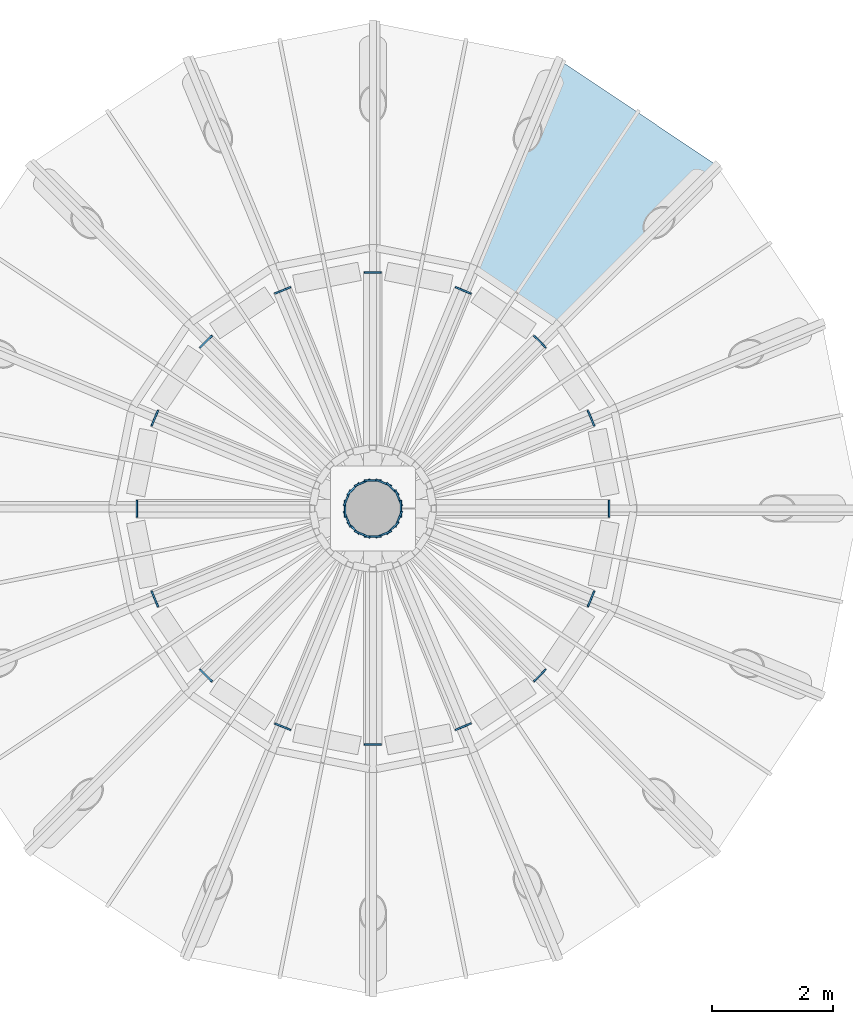
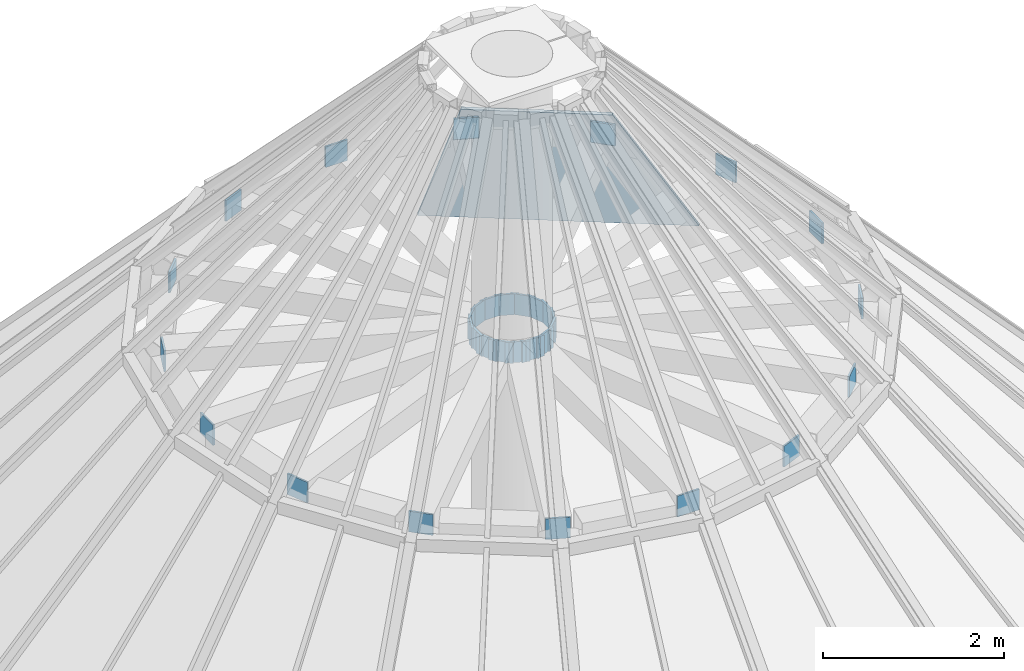
# One storey, part 5 of 5: 32 discrete accessories, 1 plate, 1 element without a shape of its own.
"""IFC4 building model written with IfcOpenShell, lengths in metres."""

from ifc_helpers import new_model, si_unit, direction, frame, origin, origin_2d, place, context, subcontext, project, spatial, polyline, rectangle, outline, extrude, material, layer, layer_set, material_profile, profile_set, type_object, element, aggregate, save


model = new_model("IFC4")

# Units and contexts
model_context = context("Model", 3, precision=1e-05, world=origin(), true_north=direction((0.0, 1.0)))
body_context = subcontext(model_context, "Body", "Model", "MODEL_VIEW")
ifc_project = project(units=[si_unit("LENGTHUNIT", "METRE"), si_unit("AREAUNIT", "SQUARE_METRE"), si_unit("VOLUMEUNIT", "CUBIC_METRE"), si_unit("PLANEANGLEUNIT", "RADIAN"), si_unit("MASSUNIT", "GRAM", prefix="KILO")], contexts=[model_context])

# Site, building, storey
site_placement = place(None, origin())
site = spatial("IfcSite", under=ifc_project, at=site_placement, CompositionType="ELEMENT")
building_placement = place(site_placement, origin())
building = spatial("IfcBuilding", under=site, at=building_placement, Name="Corvane Civic Tower", CompositionType="ELEMENT")
storey_placement = place(building_placement, frame((0.0, 0.0, 410.5)))
storey = spatial("IfcBuildingStorey", under=building, at=storey_placement, Name="Upper roof", CompositionType="ELEMENT", Elevation=410.5)

# Curtain wall, plate
ifc_material_1 = material(Name="Aluminium and glass", Category="aluminium")
curtain_wall_type = type_object("IfcCurtainWallType", Name="CROWN-CW-K-FACET", PredefinedType="NOTDEFINED", material=ifc_material_1)
curtain_wall_placement = place(storey_placement, origin())
curtain_wall = element("IfcCurtainWall", 1, at=curtain_wall_placement, inside=storey, type_object=curtain_wall_type, Name="Glass cone facet 15 row 6", PredefinedType="NOTDEFINED")
ifc_material_2 = material(Name="Glass tinted low-e laminated", Category="glass")
ifc_layer = layer(ifc_material_2, 0.030029296875)
ifc_layer_set = layer_set([ifc_layer], Name="Glass tinted low-e laminated")
plate_type = type_object("IfcPlateType", Name="CROWN-CWK-PANEL-IGU30", PredefinedType="CURTAIN_PANEL", material=ifc_layer_set)
plate_placement = place(storey_placement, frame((5.65673828125, 5.65673828125, 0.0), z_axis=(0.411503449124, 0.615785787629, 0.671917238292), x_axis=(-0.831432432855, 0.555625871796, -1.3694034e-05)))
plate = element("IfcPlate", 2, at=plate_placement, type_object=plate_type, Name="Cone glass panel 15.6", PredefinedType="CURTAIN_PANEL", context=body_context, shape_type="SweptSolid", body=[
    extrude(outline(polyline([(0.0, 0.0), (3.121409412717009, -2.220446049250313e-16), (2.399292784452185, 5.40087921508), (0.7215133655431595, 5.40079047902109), (0.0, 0.0)])), origin(), (0.0, 0.0, -1.0), 0.030029296875),
])
aggregate(curtain_wall, [plate])

# Discrete accessories
ifc_material_3 = material(Name="Steel ASTM A572 Gr 50", Category="steel")
ifc_material_profile = material_profile(ifc_material_3, rectangle(XDim=0.2802734375, YDim=0.2802734375, at=origin_2d()), Name="GUSSET PLATE 25 IN HSS12X12X1/2")
ifc_profile_set = profile_set([ifc_material_profile], Name="Steel ASTM A572 Gr 50")
discrete_accessory_type = type_object("IfcDiscreteAccessoryType", Name="GUSSET PLATE 25 IN HSS12X12X1/2", PredefinedType="BRACKET", material=ifc_profile_set)
for number, where, z_axis, x_axis, name in (
    (3, (0.0, 3.89990234375, 4.0), (0.0, -1.0, 0.0), (1.0, 0.0, 0.0), "Gusset plate CH1 end A"),
    (4, (0.0, 0.446044921875, 4.0), (0.0, 1.0, 0.0), (-1.0, 0.0, 0.0), "Gusset plate CH1 end B"),
    (5, (1.492431640625, 3.60302734375, 4.0), (-0.383219516766, -0.92365729682, 0.0), (0.92365729682, -0.383219516766, 0.0), "Gusset plate CH1 end A"),
    (6, (0.170654296875, 0.412109375, 4.0), (0.383219516766, 0.92365729682, 0.0), (-0.92365729682, 0.383219516766, 0.0), "Gusset plate CH1 end B"),
):
    element("IfcDiscreteAccessory", number, at=place(storey_placement, frame(where, z_axis=z_axis, x_axis=x_axis)), inside=storey, type_object=discrete_accessory_type, Name=name, PredefinedType="BRACKET", context=body_context, shape_type="SweptSolid", body=[
        extrude(rectangle(XDim=0.2802734375, YDim=0.2802734375, at=origin_2d()), origin(), (0.0, 0.0, 1.0), 0.02490234375),
    ])
discrete_accessory_1_placement = place(storey_placement, frame((2.7578125, 2.7578125, 4.0), z_axis=(-0.707106781187, -0.707106781187, 0.0), x_axis=(0.707106781187, -0.707106781187, 0.0)))
element("IfcDiscreteAccessory", 7, at=discrete_accessory_1_placement, inside=storey, type_object=discrete_accessory_type, Name="Gusset plate CH1 end A", PredefinedType="BRACKET", context=body_context, shape_type="SweptSolid", body=[
    extrude(rectangle(XDim=0.2802734375, YDim=0.2802734375, at=origin_2d()), origin(), (0.0, 0.0, 1.0), 0.025146484375),
])
for number, where, z_axis, x_axis, name in (
    (8, (0.3154296875, 0.3154296875, 4.0), (0.707106781187, 0.707106781187, 0.0), (-0.707106781187, 0.707106781187, 0.0), "Gusset plate CH1 end B"),
    (9, (3.60302734375, 1.492431640625, 4.0), (-0.92365729682, -0.383219516766, 0.0), (0.383219516766, -0.92365729682, 0.0), "Gusset plate CH1 end A"),
    (10, (0.412109375, 0.170654296875, 4.0), (0.92365729682, 0.383219516766, 0.0), (-0.383219516766, 0.92365729682, 0.0), "Gusset plate CH1 end B"),
    (11, (3.89990234375, 0.0, 4.0), (-1.0, 0.0, 0.0), (0.0, -1.0, 0.0), "Gusset plate CH1 end A"),
    (12, (0.446044921875, 0.0, 4.0), (1.0, 0.0, 0.0), (0.0, 1.0, 0.0), "Gusset plate CH1 end B"),
    (13, (3.60302734375, -1.492431640625, 4.0), (-0.92365729682, 0.383219516766, 0.0), (-0.383219516766, -0.92365729682, 0.0), "Gusset plate CH1 end A"),
    (14, (0.412109375, -0.170654296875, 4.0), (0.92365729682, -0.383219516766, 0.0), (0.383219516766, 0.92365729682, 0.0), "Gusset plate CH1 end B"),
):
    element("IfcDiscreteAccessory", number, at=place(storey_placement, frame(where, z_axis=z_axis, x_axis=x_axis)), inside=storey, type_object=discrete_accessory_type, Name=name, PredefinedType="BRACKET", context=body_context, shape_type="SweptSolid", body=[
        extrude(rectangle(XDim=0.2802734375, YDim=0.2802734375, at=origin_2d()), origin(), (0.0, 0.0, 1.0), 0.02490234375),
    ])
discrete_accessory_2_placement = place(storey_placement, frame((2.7578125, -2.7578125, 4.0), z_axis=(-0.707106781187, 0.707106781187, 0.0), x_axis=(-0.707106781187, -0.707106781187, 0.0)))
element("IfcDiscreteAccessory", 15, at=discrete_accessory_2_placement, inside=storey, type_object=discrete_accessory_type, Name="Gusset plate CH1 end A", PredefinedType="BRACKET", context=body_context, shape_type="SweptSolid", body=[
    extrude(rectangle(XDim=0.2802734375, YDim=0.2802734375, at=origin_2d()), origin(), (0.0, 0.0, 1.0), 0.025146484375),
])
for number, where, z_axis, x_axis, name in (
    (16, (0.3154296875, -0.3154296875, 4.0), (0.707106781187, -0.707106781187, 0.0), (0.707106781187, 0.707106781187, 0.0), "Gusset plate CH1 end B"),
    (17, (1.492431640625, -3.60302734375, 4.0), (-0.383219516766, 0.92365729682, 0.0), (-0.92365729682, -0.383219516766, 0.0), "Gusset plate CH1 end A"),
    (18, (0.170654296875, -0.412109375, 4.0), (0.383219516766, -0.92365729682, 0.0), (0.92365729682, 0.383219516766, 0.0), "Gusset plate CH1 end B"),
    (19, (0.0, -3.89990234375, 4.0), (0.0, 1.0, 0.0), (-1.0, 0.0, 0.0), "Gusset plate CH1 end A"),
    (20, (0.0, -0.446044921875, 4.0), (0.0, -1.0, 0.0), (1.0, 0.0, 0.0), "Gusset plate CH1 end B"),
    (21, (-1.492431640625, -3.60302734375, 4.0), (0.383219516766, 0.92365729682, 0.0), (-0.92365729682, 0.383219516766, 0.0), "Gusset plate CH1 end A"),
    (22, (-0.170654296875, -0.412109375, 4.0), (-0.383219516766, -0.92365729682, 0.0), (0.92365729682, -0.383219516766, 0.0), "Gusset plate CH1 end B"),
):
    element("IfcDiscreteAccessory", number, at=place(storey_placement, frame(where, z_axis=z_axis, x_axis=x_axis)), inside=storey, type_object=discrete_accessory_type, Name=name, PredefinedType="BRACKET", context=body_context, shape_type="SweptSolid", body=[
        extrude(rectangle(XDim=0.2802734375, YDim=0.2802734375, at=origin_2d()), origin(), (0.0, 0.0, 1.0), 0.02490234375),
    ])
discrete_accessory_3_placement = place(storey_placement, frame((-2.7578125, -2.7578125, 4.0), z_axis=(0.707106781187, 0.707106781187, 0.0), x_axis=(-0.707106781187, 0.707106781187, 0.0)))
element("IfcDiscreteAccessory", 23, at=discrete_accessory_3_placement, inside=storey, type_object=discrete_accessory_type, Name="Gusset plate CH1 end A", PredefinedType="BRACKET", context=body_context, shape_type="SweptSolid", body=[
    extrude(rectangle(XDim=0.2802734375, YDim=0.2802734375, at=origin_2d()), origin(), (0.0, 0.0, 1.0), 0.025146484375),
])
for number, where, z_axis, x_axis, name in (
    (24, (-0.3154296875, -0.3154296875, 4.0), (-0.707106781187, -0.707106781187, 0.0), (0.707106781187, -0.707106781187, 0.0), "Gusset plate CH1 end B"),
    (25, (-3.60302734375, -1.492431640625, 4.0), (0.92365729682, 0.383219516766, 0.0), (-0.383219516766, 0.92365729682, 0.0), "Gusset plate CH1 end A"),
    (26, (-0.412109375, -0.170654296875, 4.0), (-0.92365729682, -0.383219516766, 0.0), (0.383219516766, -0.92365729682, 0.0), "Gusset plate CH1 end B"),
    (27, (-3.89990234375, 0.0, 4.0), (1.0, 0.0, 0.0), (0.0, 1.0, 0.0), "Gusset plate CH1 end A"),
    (28, (-0.446044921875, 0.0, 4.0), (-1.0, 0.0, 0.0), (0.0, -1.0, 0.0), "Gusset plate CH1 end B"),
    (29, (-3.60302734375, 1.492431640625, 4.0), (0.92365729682, -0.383219516766, 0.0), (0.383219516766, 0.92365729682, 0.0), "Gusset plate CH1 end A"),
    (30, (-0.412109375, 0.170654296875, 4.0), (-0.92365729682, 0.383219516766, 0.0), (-0.383219516766, -0.92365729682, 0.0), "Gusset plate CH1 end B"),
):
    element("IfcDiscreteAccessory", number, at=place(storey_placement, frame(where, z_axis=z_axis, x_axis=x_axis)), inside=storey, type_object=discrete_accessory_type, Name=name, PredefinedType="BRACKET", context=body_context, shape_type="SweptSolid", body=[
        extrude(rectangle(XDim=0.2802734375, YDim=0.2802734375, at=origin_2d()), origin(), (0.0, 0.0, 1.0), 0.02490234375),
    ])
discrete_accessory_4_placement = place(storey_placement, frame((-2.7578125, 2.7578125, 4.0), z_axis=(0.707106781187, -0.707106781187, 0.0), x_axis=(0.707106781187, 0.707106781187, 0.0)))
element("IfcDiscreteAccessory", 31, at=discrete_accessory_4_placement, inside=storey, type_object=discrete_accessory_type, Name="Gusset plate CH1 end A", PredefinedType="BRACKET", context=body_context, shape_type="SweptSolid", body=[
    extrude(rectangle(XDim=0.2802734375, YDim=0.2802734375, at=origin_2d()), origin(), (0.0, 0.0, 1.0), 0.025146484375),
])
for number, where, z_axis, x_axis, name in (
    (32, (-0.3154296875, 0.3154296875, 4.0), (-0.707106781187, 0.707106781187, 0.0), (-0.707106781187, -0.707106781187, 0.0), "Gusset plate CH1 end B"),
    (33, (-1.492431640625, 3.60302734375, 4.0), (0.383219516766, -0.92365729682, 0.0), (0.92365729682, 0.383219516766, 0.0), "Gusset plate CH1 end A"),
    (34, (-0.170654296875, 0.412109375, 4.0), (-0.383219516766, 0.92365729682, 0.0), (-0.92365729682, -0.383219516766, 0.0), "Gusset plate CH1 end B"),
):
    element("IfcDiscreteAccessory", number, at=place(storey_placement, frame(where, z_axis=z_axis, x_axis=x_axis)), inside=storey, type_object=discrete_accessory_type, Name=name, PredefinedType="BRACKET", context=body_context, shape_type="SweptSolid", body=[
        extrude(rectangle(XDim=0.2802734375, YDim=0.2802734375, at=origin_2d()), origin(), (0.0, 0.0, 1.0), 0.02490234375),
    ])

save(model, "model.ifc")
